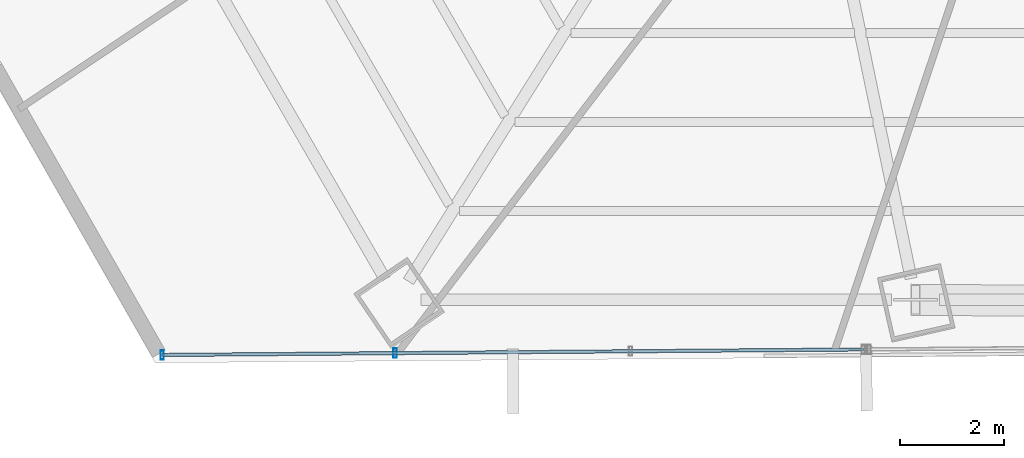
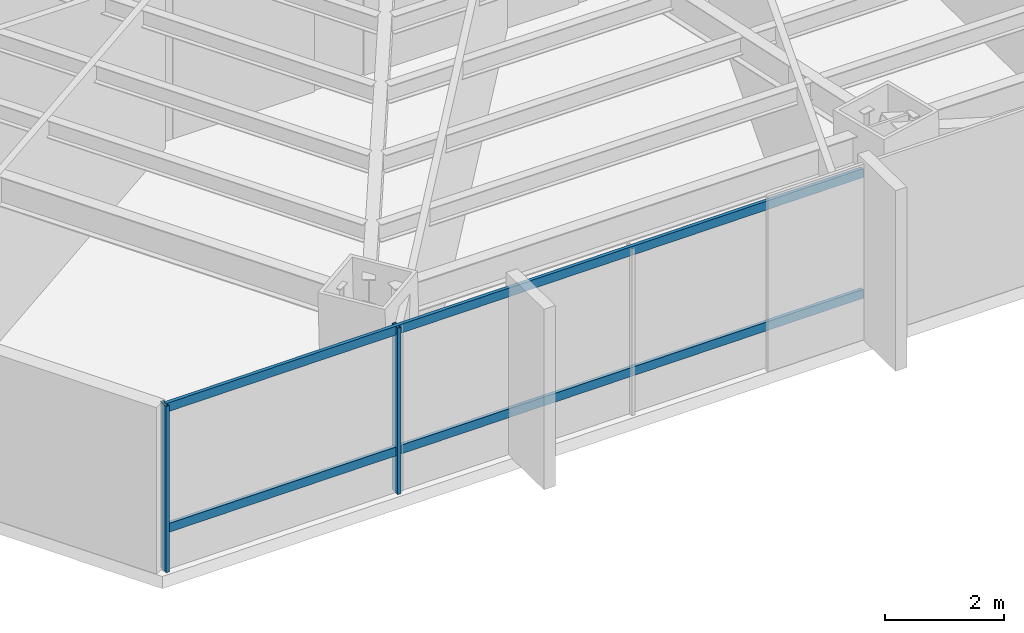
# One storey, part 3 of 35: 4 members, 1 element without a shape of its own.
"""IFC4 building model written with IfcOpenShell, lengths in metres."""

from ifc_helpers import new_model, si_unit, direction, frame, origin, origin_2d, place, context, subcontext, project, spatial, hollow_rectangle, extrude, source, transform, mapped, material, material_profile, profile_set, type_object, type_shapes, element, aggregate, save


model = new_model("IFC4")

# Units and contexts
model_context = context("Model", 3, precision=1e-05, world=origin(), true_north=direction((0.0, 1.0)))
body_context = subcontext(model_context, "Body", "Model", "MODEL_VIEW")
ifc_project = project(units=[si_unit("LENGTHUNIT", "METRE"), si_unit("AREAUNIT", "SQUARE_METRE"), si_unit("VOLUMEUNIT", "CUBIC_METRE"), si_unit("PLANEANGLEUNIT", "RADIAN"), si_unit("MASSUNIT", "GRAM", prefix="KILO")], contexts=[model_context])

# Site, building, storey
site_placement = place(None, origin())
site = spatial("IfcSite", under=ifc_project, at=site_placement, CompositionType="ELEMENT")
building_placement = place(site_placement, origin())
building = spatial("IfcBuilding", under=site, at=building_placement, Name="Caelisora Broadcast Tower", CompositionType="ELEMENT")
storey_placement = place(building_placement, frame((0.0, 0.0, 53.14990234375)))
storey = spatial("IfcBuildingStorey", under=building, at=storey_placement, Name="L13", CompositionType="ELEMENT", Elevation=53.14990234375)

# Curtain wall, members
ifc_material_1 = material(Name="Unitised Aluminium and Low-E Glass Curtain Wall", Category="glass")
curtain_wall_type = type_object("IfcCurtainWallType", Name="CW-Z1", PredefinedType="NOTDEFINED", material=ifc_material_1)
curtain_wall_placement = place(storey_placement, origin())
curtain_wall = element("IfcCurtainWall", 1, at=curtain_wall_placement, inside=storey, type_object=curtain_wall_type, Name="L13 curtain wall CW-Z1", PredefinedType="NOTDEFINED")
ifc_material_2 = material(Name="Aluminium 6063-T6 Anodised Terracotta Bronze", Category="aluminium")
ifc_material_profile_1 = material_profile(ifc_material_2, hollow_rectangle(XDim=0.06494140625, YDim=0.179931640625, WallThickness=0.00341796875, at=origin_2d()), Name="Aluminium 6063-T6 Anodised Terracotta Bronze")
ifc_profile_set_1 = profile_set([ifc_material_profile_1], Name="Aluminium 6063-T6 Anodised Terracotta Bronze")
member_type_1 = type_object("IfcMemberType", Name="CWM-02", PredefinedType="MULLION", material=ifc_profile_set_1)
shared_shape_1 = source(origin(), body_context, "Body", "SweptSolid", [
    extrude(hollow_rectangle(XDim=0.06494140625, YDim=0.179931640625, WallThickness=0.00341796875, at=origin_2d()), origin(), (0.0, 0.0, 1.0), 3.400146484375),
])
type_shapes(member_type_1, [shared_shape_1])
member_1_placement = place(storey_placement, frame((22.9375, 4.347900390625, 0.0), z_axis=(0.0, 0.0, 1.0), x_axis=(1.0, 0.0, 0.0)))
member_1 = element("IfcMember", 2, at=member_1_placement, type_object=member_type_1, Name="L13-CW-B07 mullion #2", PredefinedType="MULLION", context=body_context, shape_type="MappedRepresentation", body=[
    mapped(shared_shape_1, transform((0.0, 0.0, 0.0), scale=1.0)),
])
member_2_placement = place(storey_placement, frame((18.43896484375, 4.3125, 0.0), z_axis=(0.0, 0.0, 1.0), x_axis=(1.0, 0.0, 0.0)))
member_2 = element("IfcMember", 3, at=member_2_placement, type_object=member_type_1, Name="L13-CW-B07 mullion #3", PredefinedType="MULLION", context=body_context, shape_type="MappedRepresentation", body=[
    mapped(shared_shape_1, transform((0.0, 0.0, 0.0), scale=1.0)),
])
ifc_material_profile_2 = material_profile(ifc_material_2, hollow_rectangle(XDim=0.06494140625, YDim=0.179931640625, WallThickness=0.00341796875, at=origin_2d()), Name="Aluminium 6063-T6 Anodised Terracotta Bronze")
ifc_profile_set_2 = profile_set([ifc_material_profile_2], Name="Aluminium 6063-T6 Anodised Terracotta Bronze")
member_type_2 = type_object("IfcMemberType", Name="CWT-01", PredefinedType="USERDEFINED", material=ifc_profile_set_2)
shared_shape_2 = source(origin(), body_context, "Body", "SweptSolid", [
    extrude(hollow_rectangle(XDim=0.06494140625, YDim=0.179931640625, WallThickness=0.00341796875, at=origin_2d()), origin(), (0.0, 0.0, 1.0), 13.54638671875),
])
type_shapes(member_type_2, [shared_shape_2])
member_3_placement = place(storey_placement, frame((31.98486328125, 4.41943359375, 0.85009765625), z_axis=(-0.999968842515, -0.007893921726, 0.0), x_axis=(0.007893921726, -0.999968842515, 0.0)))
member_3 = element("IfcMember", 4, at=member_3_placement, type_object=member_type_2, Name="L13-CW-B07 transom #1", ObjectType="TRANSOM", PredefinedType="USERDEFINED", context=body_context, shape_type="MappedRepresentation", body=[
    mapped(shared_shape_2, transform((0.0, 0.0, 0.0), scale=1.0)),
])
member_4_placement = place(storey_placement, frame((31.98486328125, 4.41943359375, 3.320068359375), z_axis=(-0.999968842515, -0.007893921726, 0.0), x_axis=(0.007893921726, -0.999968842515, 0.0)))
member_4 = element("IfcMember", 5, at=member_4_placement, type_object=member_type_2, Name="L13-CW-B07 transom #2", ObjectType="TRANSOM", PredefinedType="USERDEFINED", context=body_context, shape_type="MappedRepresentation", body=[
    mapped(shared_shape_2, transform((0.0, 0.0, 0.0), scale=1.0)),
])
aggregate(curtain_wall, [member_1, member_2, member_3, member_4])

save(model, "model.ifc")
